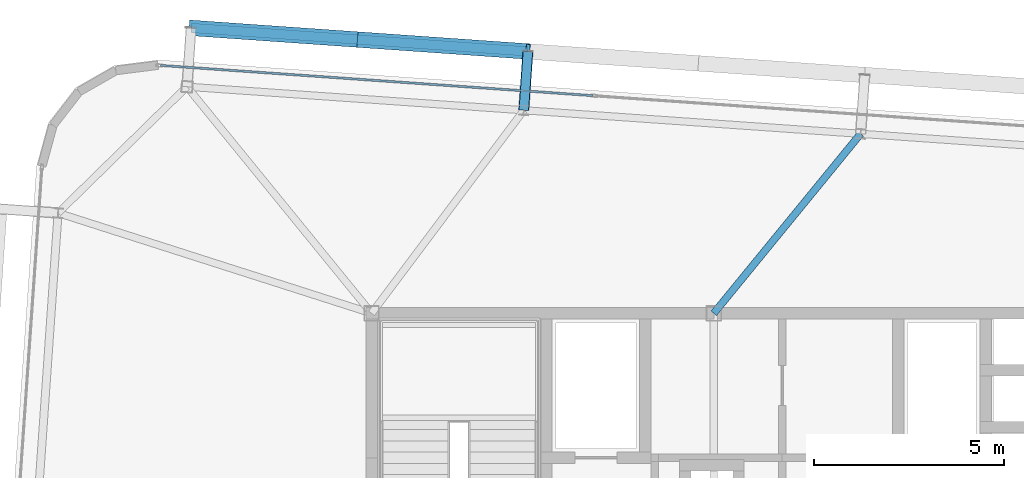
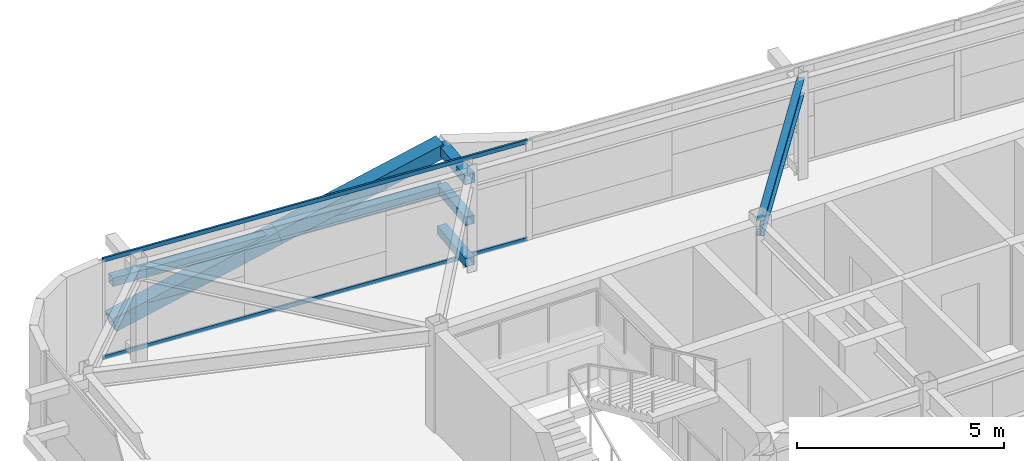
# One storey, part 20 of 39: 8 members, 1 beam, 1 element without a shape of its own.
"""IFC4 building model written with IfcOpenShell, lengths in metres."""

from ifc_helpers import new_model, si_unit, direction, frame, origin, origin_2d, place, context, subcontext, project, spatial, hollow_rectangle, i_section, extrude, source, transform, mapped, material, layer, layer_set, material_profile, profile_set, type_object, element, aggregate, save


model = new_model("IFC4")

# Units and contexts
model_context = context("Model", 3, precision=1e-05, world=origin(), true_north=direction((0.0, 1.0)))
body_context = subcontext(model_context, "Body", "Model", "MODEL_VIEW")
ifc_project = project(units=[si_unit("LENGTHUNIT", "METRE"), si_unit("AREAUNIT", "SQUARE_METRE"), si_unit("VOLUMEUNIT", "CUBIC_METRE"), si_unit("PLANEANGLEUNIT", "RADIAN"), si_unit("MASSUNIT", "GRAM", prefix="KILO")], contexts=[model_context])

# Site, building, storey
site_placement = place(None, origin())
site = spatial("IfcSite", under=ifc_project, at=site_placement, CompositionType="ELEMENT")
building_placement = place(site_placement, origin())
building = spatial("IfcBuilding", under=site, at=building_placement, Name="Taldren Reach Tower", CompositionType="ELEMENT")
storey_placement = place(building_placement, frame((0.0, 0.0, 158.199951171875)))
storey = spatial("IfcBuildingStorey", under=building, at=storey_placement, Name="L48", CompositionType="ELEMENT", Elevation=158.199951171875)

# Members
ifc_material_1 = material(Name="Steel Gr 450 (C450L0)", Category="steel")
ifc_material_profile_1 = material_profile(ifc_material_1, hollow_rectangle(XDim=0.27490234375, YDim=0.27490234375, WallThickness=0.00927734375, at=origin_2d()), Name="275x275x9.3SHS")
ifc_profile_set_1 = profile_set([ifc_material_profile_1], Name="Steel Gr 450 (C450L0)")
member_type_1 = type_object("IfcMemberType", Name="MB-TIE273", PredefinedType="STRUT", material=ifc_profile_set_1)
shared_shape_1 = source(origin(), body_context, "Body", "SweptSolid", [
    extrude(hollow_rectangle(XDim=0.27490234375, YDim=0.27490234375, WallThickness=0.00927734375, at=origin_2d()), origin(), (0.0, 0.0, 1.0), 1.5498046875),
])
member_1_placement = place(storey_placement, frame((23.0029296875, 37.33935546875, 2.650146484375), z_axis=(0.069780535098, 0.997562367434, 0.0), x_axis=(-0.997562367434, 0.069780535098, 0.0)))
element("IfcMember", 1, at=member_1_placement, inside=storey, type_object=member_type_1, Name="Exoskeleton diaphragm tie strut B3-N2 L48", PredefinedType="STRUT", context=body_context, shape_type="MappedRepresentation", body=[
    mapped(shared_shape_1, transform((0.0, 0.0, 0.0), scale=1.0)),
])
ifc_material_2 = material(Name="Steel Gr 350 (C350L0)", Category="steel")
ifc_material_profile_2 = material_profile(ifc_material_2, hollow_rectangle(XDim=0.25, YDim=0.25, WallThickness=0.010009765625, at=origin_2d()), Name="250x250x10.0SHS")
ifc_profile_set_2 = profile_set([ifc_material_profile_2], Name="Steel Gr 350 (C350L0)")
member_type_2 = type_object("IfcMemberType", Name="MB-POST250", PredefinedType="POST", material=ifc_profile_set_2)
shared_shape_2 = source(origin(), body_context, "Body", "SweptSolid", [
    extrude(hollow_rectangle(XDim=0.25, YDim=0.25, WallThickness=0.010009765625, at=origin_2d()), origin(), (0.0, 0.0, 1.0), 1.5498046875),
])
for number, where, z_axis, x_axis, name in (
    (2, (23.0029296875, 37.33935546875, 0.219970703125), (0.069780535098, 0.997562367434, 0.0), (-0.997562367434, 0.069780535098, 0.0), "Exoskeleton base diaphragm tie strut B3-N2 L48"),
    (3, (23.0029296875, 37.33935546875, 1.43505859375), (0.069780535098, 0.997562367434, 0.0), (-0.997562367434, 0.069780535098, 0.0), "Exoskeleton mid-tier diaphragm tie B3-N2 L48"),
):
    element("IfcMember", number, at=place(storey_placement, frame(where, z_axis=z_axis, x_axis=x_axis)), inside=storey, type_object=member_type_2, Name=name, PredefinedType="POST", context=body_context, shape_type="MappedRepresentation", body=[
        mapped(shared_shape_2, transform((0.0, 0.0, 0.0), scale=1.0)),
    ])

# Beam
ifc_material_3 = material(Name="Steel Gr 350 (350PLUS)", Category="steel")
ifc_material_profile_3 = material_profile(ifc_material_3, i_section(OverallWidth=0.19091796875, OverallDepth=0.4599609375, WebThickness=0.010009765625, FlangeThickness=0.01611328125, at=origin_2d()), Name="460UB82.1")
ifc_profile_set_3 = profile_set([ifc_material_profile_3], Name="Steel Gr 350 (350PLUS)")
beam_type = type_object("IfcBeamType", Name="BM-UB460A", PredefinedType="BEAM", material=ifc_profile_set_3)
shared_shape_3 = source(origin(), body_context, "Body", "SweptSolid", [
    extrude(i_section(OverallWidth=0.19091796875, OverallDepth=0.4599609375, WebThickness=0.010009765625, FlangeThickness=0.01611328125, at=origin_2d()), origin(), (0.0, 0.0, 1.0), 6.09814453125),
])
beam_placement = place(storey_placement, frame((28.0, 32.0, 2.699951171875), z_axis=(0.633192006663, 0.773994756247, 0.0), x_axis=(-0.773994756247, 0.633192006663, 0.0)))
element("IfcBeam", 4, at=beam_placement, inside=storey, type_object=beam_type, Name="Primary floor girder B3-N3 L48", PredefinedType="BEAM", context=body_context, shape_type="MappedRepresentation", body=[
    mapped(shared_shape_3, transform((0.0, 0.0, 0.0), scale=1.0)),
])

# Members
shared_shape_4 = source(origin(), body_context, "Body", "SweptSolid", [
    extrude(hollow_rectangle(XDim=0.25, YDim=0.25, WallThickness=0.010009765625, at=origin_2d()), origin(), (0.0, 0.0, 1.0), 8.880126953125),
])
member_2_placement = place(storey_placement, frame((14.252685546875, 39.5048828125, 1.43505859375), z_axis=(0.997564479639, -0.069750333063, 0.0), x_axis=(0.069750333063, 0.997564479639, 0.0)))
element("IfcMember", 5, at=member_2_placement, inside=storey, type_object=member_type_2, Name="Exoskeleton mid-height ring chord B3-N1 L48", PredefinedType="POST", context=body_context, shape_type="MappedRepresentation", body=[
    mapped(shared_shape_4, transform((0.0, 0.0, 0.0), scale=1.0)),
])
ifc_material_profile_4 = material_profile(ifc_material_1, hollow_rectangle(XDim=0.409912109375, YDim=0.409912109375, WallThickness=0.01611328125, at=origin_2d()), Name="410x410x16.0SHS")
ifc_profile_set_4 = profile_set([ifc_material_profile_4], Name="Steel Gr 450 (C450L0)")
member_type_3 = type_object("IfcMemberType", Name="MB-EXO406", PredefinedType="BRACE", material=ifc_profile_set_4)
shared_shape_5 = source(origin(), body_context, "Body", "SweptSolid", [
    extrude(hollow_rectangle(XDim=0.409912109375, YDim=0.409912109375, WallThickness=0.01611328125, at=origin_2d()), origin(), (0.0, 0.0, 1.0), 4.603271484375),
])
for number, where, z_axis, x_axis, name in (
    (6, (14.252685546875, 39.5048828125, 0.219970703125), (0.962185784239, -0.067250114343, 0.263962002434), (0.069722973508, 0.997566392259, 0.0), "Exoskeleton Diagrid Brace B3-N1 L48"),
    (7, (18.681884765625, 39.1953125, 1.43505859375), (0.962182351074, -0.067302910567, 0.263961060594), (0.06977769246, 0.997562566276, 0.0), "Exoskeleton Diagrid Brace B3-N1 L48"),
):
    element("IfcMember", number, at=place(storey_placement, frame(where, z_axis=z_axis, x_axis=x_axis)), inside=storey, type_object=member_type_3, Name=name, PredefinedType="BRACE", context=body_context, shape_type="MappedRepresentation", body=[
        mapped(shared_shape_5, transform((0.0, 0.0, 0.0), scale=1.0)),
    ])

# Curtain wall, members
ifc_material_4 = material(Name="Aluminium and Low-E Glass Unitised System", Category="aluminium")
ifc_layer = layer(ifc_material_4, 0.159912109375)
ifc_layer_set = layer_set([ifc_layer], Name="Aluminium and Low-E Glass Unitised System")
curtain_wall_type = type_object("IfcCurtainWallType", Name="CW-SYS-4", PredefinedType="NOTDEFINED", material=ifc_layer_set)
curtain_wall_placement = place(storey_placement, origin())
curtain_wall = element("IfcCurtainWall", 8, at=curtain_wall_placement, inside=storey, type_object=curtain_wall_type, Name="Unitised curtain wall CW-L48-N", PredefinedType="NOTDEFINED")
ifc_material_5 = material(Name="Anodised Aluminium 6063-T6", Category="aluminium")
ifc_material_profile_5 = material_profile(ifc_material_5, hollow_rectangle(XDim=0.054931640625, YDim=0.1201171875, WallThickness=0.0029296875, at=origin_2d()), Name="ALU-120x55x3RHS")
ifc_profile_set_5 = profile_set([ifc_material_profile_5], Name="Anodised Aluminium 6063-T6")
member_type_4 = type_object("IfcMemberType", Name="CW-TRN-135", PredefinedType="USERDEFINED", material=ifc_profile_set_5)
shared_shape_6 = source(origin(), body_context, "Body", "SweptSolid", [
    extrude(hollow_rectangle(XDim=0.054931640625, YDim=0.1201171875, WallThickness=0.0029296875, at=origin_2d()), origin(), (0.0, 0.0, 1.0), 11.39501953125),
])
member_3_placement = place(storey_placement, frame((24.819091796875, 37.7236328125, 0.027587890625), z_axis=(-0.997563740682, 0.069760900766, 0.0), x_axis=(-0.069760900766, -0.997563740682, 0.0)))
member_3 = element("IfcMember", 9, at=member_3_placement, type_object=member_type_4, Name="CW-4 transom 4.1", ObjectType="TRANSOM", PredefinedType="USERDEFINED", context=body_context, shape_type="MappedRepresentation", body=[
    mapped(shared_shape_6, transform((0.0, 0.0, 0.0), scale=1.0)),
])
member_4_placement = place(storey_placement, frame((24.819091796875, 37.7236328125, 2.902587890625), z_axis=(-0.997563740682, 0.069760900766, 0.0), x_axis=(-0.069760900766, -0.997563740682, 0.0)))
member_4 = element("IfcMember", 10, at=member_4_placement, type_object=member_type_4, Name="CW-4 transom 4.2", ObjectType="TRANSOM", PredefinedType="USERDEFINED", context=body_context, shape_type="MappedRepresentation", body=[
    mapped(shared_shape_6, transform((0.0, 0.0, 0.0), scale=1.0)),
])
aggregate(curtain_wall, [member_3, member_4])

save(model, "model.ifc")
